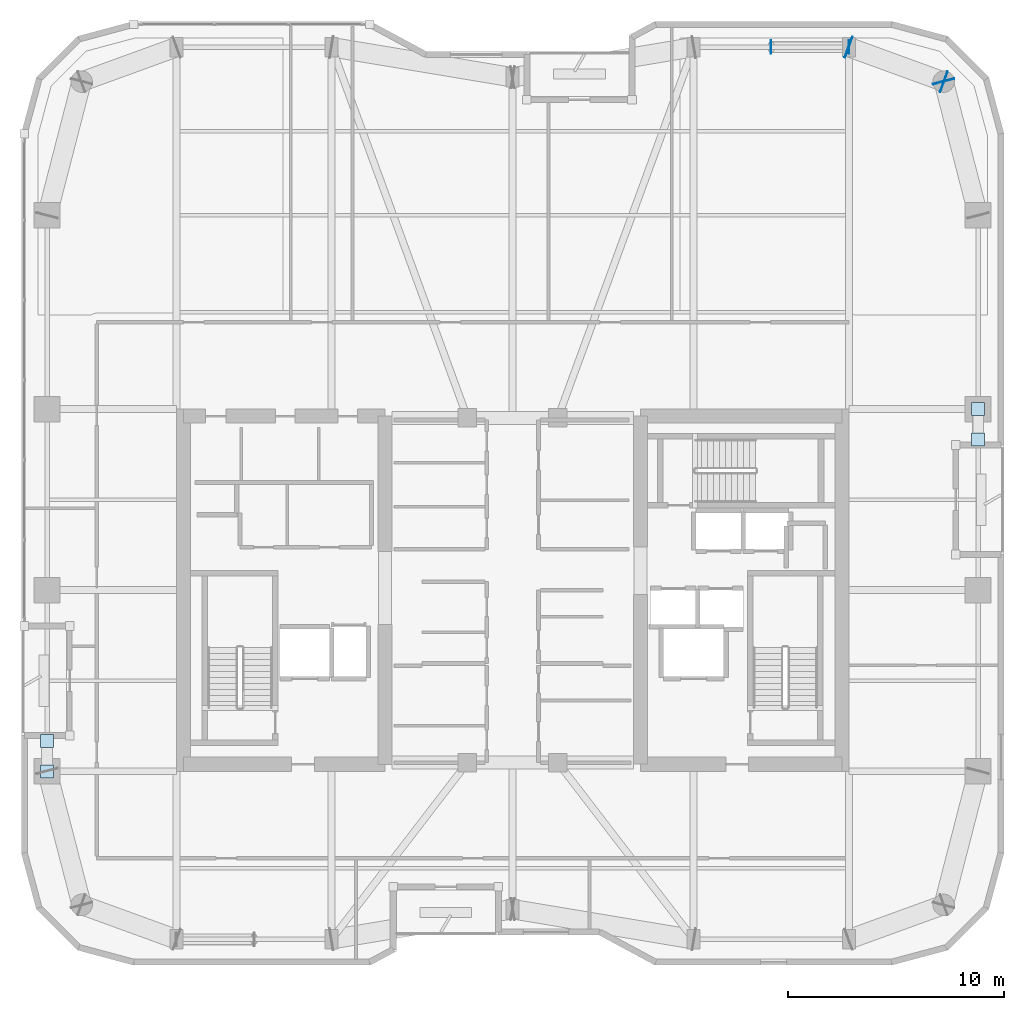
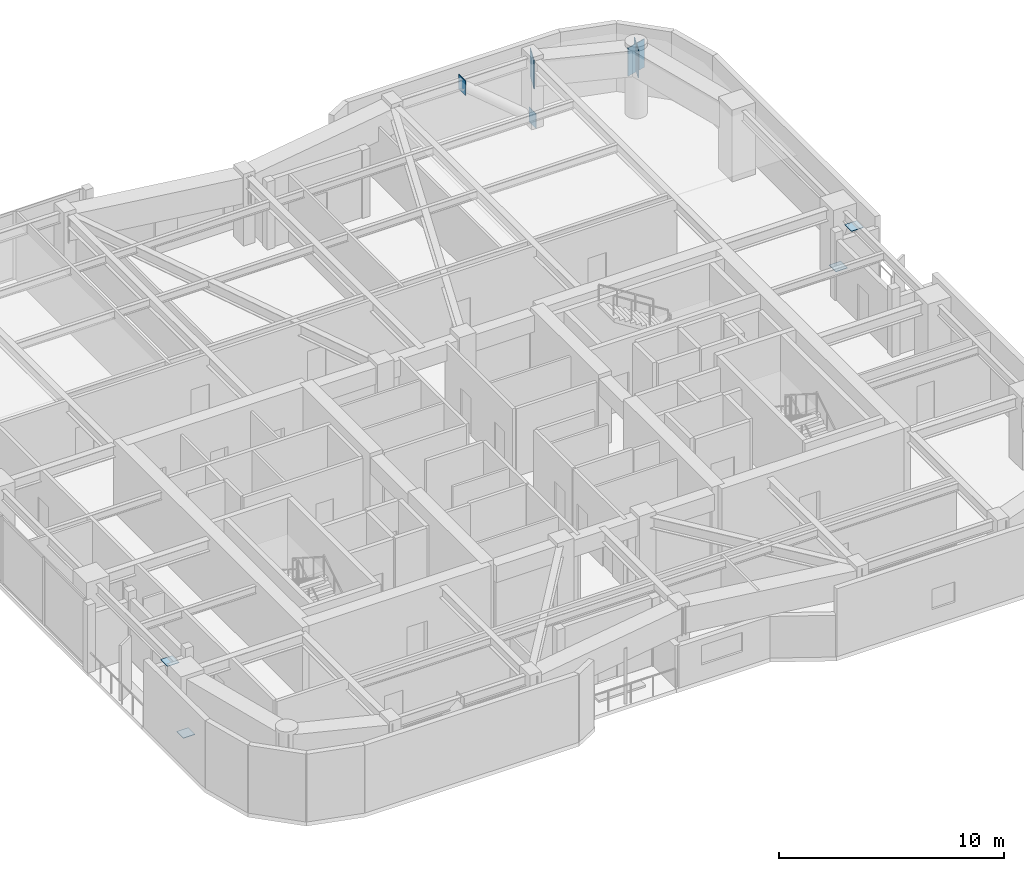
# One storey, part 14 of 21: 9 plates.
"""IFC4 building model written with IfcOpenShell, lengths in metres."""

from ifc_helpers import new_model, si_unit, direction, frame, origin, origin_2d, place, context, subcontext, project, spatial, rectangle, extrude, material, layer, layer_set, type_object, element, save


model = new_model("IFC4")

# Units and contexts
model_context = context("Model", 3, precision=1e-05, world=origin(), true_north=direction((0.0, 1.0)))
body_context = subcontext(model_context, "Body", "Model", "MODEL_VIEW")
ifc_project = project(units=[si_unit("LENGTHUNIT", "METRE"), si_unit("AREAUNIT", "SQUARE_METRE"), si_unit("VOLUMEUNIT", "CUBIC_METRE"), si_unit("PLANEANGLEUNIT", "RADIAN"), si_unit("MASSUNIT", "GRAM", prefix="KILO")], contexts=[model_context])

# Site, building, storey
site_placement = place(None, origin())
site = spatial("IfcSite", under=ifc_project, at=site_placement, CompositionType="ELEMENT")
building_placement = place(site_placement, origin())
building = spatial("IfcBuilding", under=site, at=building_placement, Name="Kiyonajd Concourse Tower", CompositionType="ELEMENT")
storey_placement = place(building_placement, frame((0.0, 0.0, 227.10009765625)))
storey = spatial("IfcBuildingStorey", under=building, at=storey_placement, Name="L57", CompositionType="ELEMENT", Elevation=227.10009765625)

# Plates
ifc_material = material(Name="Steel ASTM A572 Grade 50", Category="steel")
ifc_layer_1 = layer(ifc_material, 0.028076171875)
ifc_layer_set_1 = layer_set([ifc_layer_1], Name="Steel ASTM A572 Grade 50")
plate_type_1 = type_object("IfcPlateType", Name="PL-CAP-450", PredefinedType="USERDEFINED", material=ifc_layer_set_1)
for number, where, z_axis, x_axis, name in (
    (1, (63.6083984375, 61.199951171875, -0.109375), (0.0, 0.0, 1.0), (1.0, 0.0, 0.0), "L57 Hollow Brace End Cap Plate PBN"),
    (2, (59.99169921875, 61.199951171875, 2.93505859375), (0.0, 0.0, 1.0), (-1.0, 0.0, 0.0), "L57 Hollow Brace Top Cap Plate PBN"),
):
    element("IfcPlate", number, at=place(storey_placement, frame(where, z_axis=z_axis, x_axis=x_axis)), inside=storey, type_object=plate_type_1, Name=name, ObjectType="CAP PLATE", PredefinedType="USERDEFINED", context=body_context, shape_type="SweptSolid", body=[
        extrude(rectangle(XDim=0.035888671875, YDim=0.6279296875, at=origin_2d()), origin(), (0.0, 0.0, 1.0), 0.803955078125),
    ])
for number, where, z_axis, x_axis, name in (
    (3, (26.39990234375, 27.595458984375, 0.27587890625), (0.0, 0.0, 1.0), (1.0, 0.0, 0.0), "L57 Hollow Brace End Cap Plate PBW"),
    (4, (26.39990234375, 29.004638671875, 3.32568359375), (0.0, 0.0, 1.0), (1.0, 0.0, 0.0), "L57 Hollow Brace Top Cap Plate PBW"),
    (5, (69.60009765625, 44.404541015625, 0.27587890625), (0.0, 0.0, 1.0), (1.0, 0.0, 0.0), "L57 Hollow Brace End Cap Plate PBE"),
    (6, (69.60009765625, 42.995361328125, 3.32568359375), (0.0, 0.0, 1.0), (1.0, 0.0, 0.0), "L57 Hollow Brace Top Cap Plate PBE"),
):
    element("IfcPlate", number, at=place(storey_placement, frame(where, z_axis=z_axis, x_axis=x_axis)), inside=storey, type_object=plate_type_1, Name=name, ObjectType="CAP PLATE", PredefinedType="USERDEFINED", context=body_context, shape_type="SweptSolid", body=[
        extrude(rectangle(XDim=0.60791015625, YDim=0.60791015625, at=origin_2d()), origin(), (0.0, 0.0, 1.0), 0.028076171875),
    ])
ifc_layer_2 = layer(ifc_material, 0.031982421875)
ifc_layer_set_2 = layer_set([ifc_layer_2], Name="Steel ASTM A572 Grade 50")
plate_type_2 = type_object("IfcPlateType", Name="PL-CAP-540", PredefinedType="USERDEFINED", material=ifc_layer_set_2)
for number, where, z_axis, x_axis, name in (
    (7, (67.997314453125, 59.610595703125, 2.2099609375), (0.0, 0.0, 1.0), (-0.249873048837, 0.968278606324, 0.0), "L57 Welded Box Girder End Cap"),
    (8, (68.01025390625, 59.59619140625, 2.2099609375), (0.0, 0.0, 1.0), (0.939811951086, -0.341692107891, 0.0), "L57 Welded Box Girder End Cap"),
    (9, (63.589599609375, 61.203857421875, 2.2099609375), (0.0, 0.0, 1.0), (-0.939811951086, 0.341692107891, 0.0), "L57 Welded Box Girder End Cap"),
):
    element("IfcPlate", number, at=place(storey_placement, frame(where, z_axis=z_axis, x_axis=x_axis)), inside=storey, type_object=plate_type_2, Name=name, ObjectType="CAP PLATE", PredefinedType="USERDEFINED", context=body_context, shape_type="SweptSolid", body=[
        extrude(rectangle(XDim=0.035888671875, YDim=1.02001953125, at=origin_2d()), origin(), (0.0, 0.0, 1.0), 1.5400390625),
    ])

save(model, "model.ifc")
